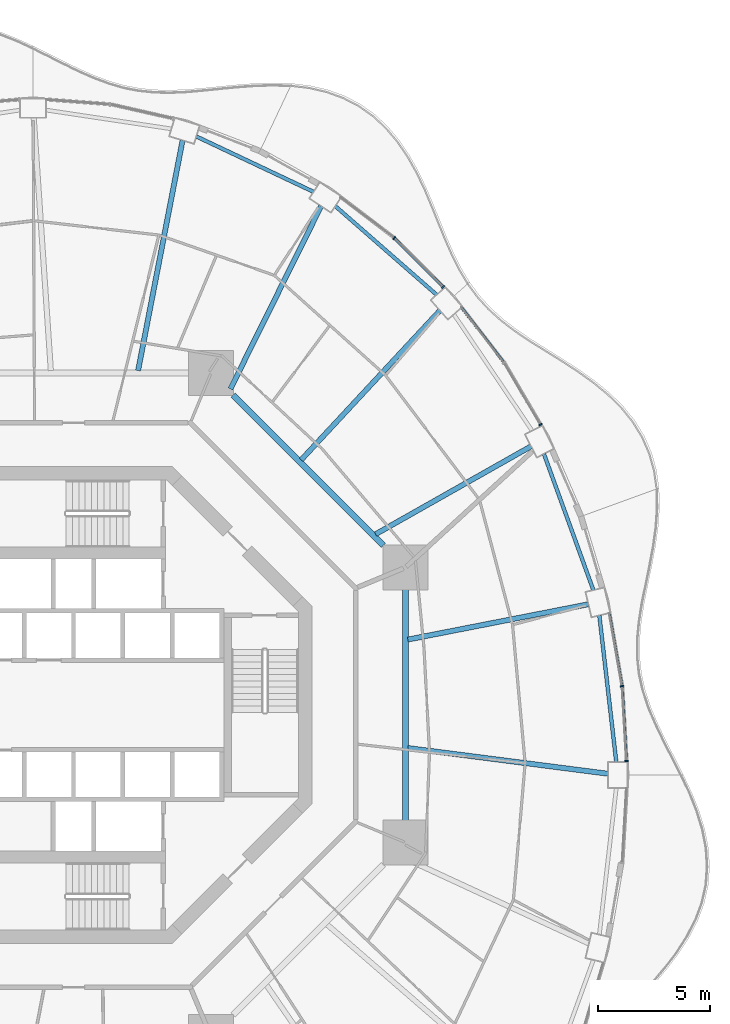
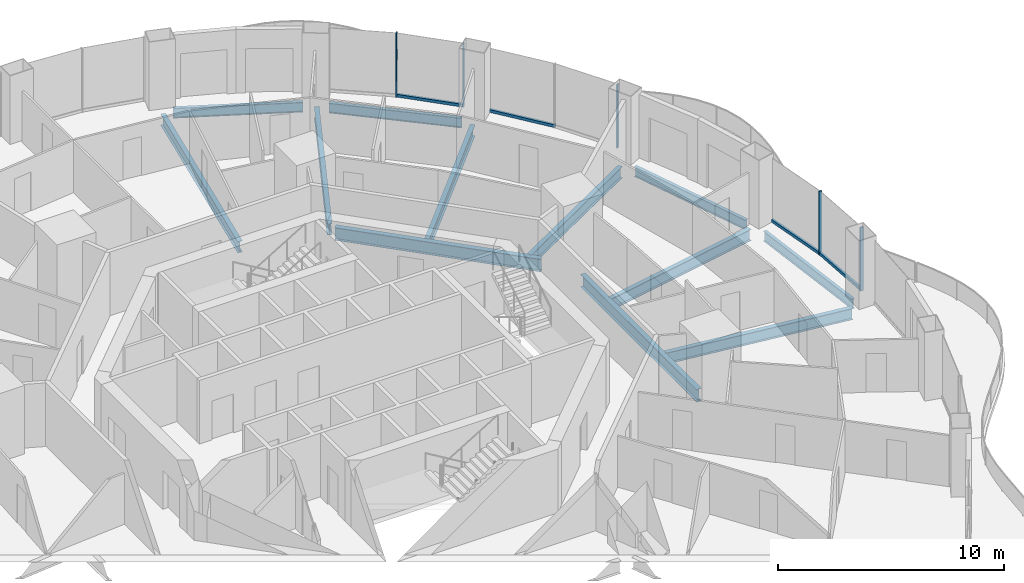
# One storey, part 8 of 20: 12 beams, 9 members, 6 elements without a shape of their own.
"""IFC4 building model written with IfcOpenShell, lengths in metres."""

import ifcopenshell
import ifcopenshell.guid

model = None  # the IFC model being written
_history = None  # IfcOwnerHistory: only IFC2X3 demands one
_inside = {}  # id of a spatial element -> (the spatial element, [elements in it])
_under = {}  # id of a project, library or spatial element -> (it, [spatial elements below it])
_declared = {}  # id of a project -> (the project, [libraries it declares])
_typed = {}  # id of a type object -> (the type object, [elements of that type])
_made_of = {}  # id of a material, layer set ... -> (it, [elements and type objects made of it])


def new_model(schema):
    """Start an empty IFC model of exactly this schema.

    Asked for "IFC4X3", IfcOpenShell would pick the latest addendum, in which some entities
    have other attributes; the version numbers below select the first issue.
    IFC2X3 requires an IfcOwnerHistory on every rooted entity: one is made here for all.
    """
    global model, _history
    if schema == "IFC4X3":
        model = ifcopenshell.file(schema_version=(4, 3, 0, 0))
    else:
        model = ifcopenshell.file(schema=schema)
    _inside.clear()
    _under.clear()
    _declared.clear()
    _typed.clear()
    _made_of.clear()
    _history = None
    if model.schema == "IFC2X3":
        org = make("IfcOrganization", Name="unknown")
        user = make(
            "IfcPersonAndOrganization",
            ThePerson=make("IfcPerson", FamilyName="unknown"),
            TheOrganization=org,
        )
        app = make(
            "IfcApplication",
            ApplicationDeveloper=org,
            Version="unknown",
            ApplicationFullName="unknown",
            ApplicationIdentifier="unknown",
        )
        _history = make(
            "IfcOwnerHistory",
            OwningUser=user,
            OwningApplication=app,
            ChangeAction="ADDED",
            CreationDate=0,
        )
    return model


def make(cls, **values):
    """One entity of the class cls with the attributes given. An attribute that is None is left unset."""
    return model.create_entity(
        cls, **{name: value for name, value in values.items() if value is not None}
    )


def rooted(cls, **values):
    """An entity with a GlobalId (a new one), such as an element, a storey or a relation."""
    return make(cls, GlobalId=ifcopenshell.guid.new(), OwnerHistory=_history, **values)


def si_unit(unit_type, name, prefix=None):
    """IfcSIUnit, for example si_unit("LENGTHUNIT", "METRE", prefix="MILLI")."""
    return make("IfcSIUnit", UnitType=unit_type, Prefix=prefix, Name=name)


def assignment(units):
    """IfcUnitAssignment: the units of a project."""
    return None if units is None else make("IfcUnitAssignment", Units=units)


def point(xyz):
    """IfcCartesianPoint."""
    return None if xyz is None else make("IfcCartesianPoint", Coordinates=xyz)


def direction(xyz):
    """IfcDirection."""
    return None if xyz is None else make("IfcDirection", DirectionRatios=xyz)


def frame(location, z_axis=None, x_axis=None):
    """IfcAxis2Placement3D, a coordinate frame: its origin and axes. An axis left out is left unset."""
    return make(
        "IfcAxis2Placement3D",
        Location=point(location),
        Axis=direction(z_axis),
        RefDirection=direction(x_axis),
    )


def frame_2d(location, x_axis=None):
    """IfcAxis2Placement2D, a coordinate frame in the plane: its origin and x axis."""
    return make(
        "IfcAxis2Placement2D", Location=point(location), RefDirection=direction(x_axis)
    )


def origin():
    """The frame at (0, 0, 0) with its axes left unset."""
    return frame((0.0, 0.0, 0.0))


def origin_2d():
    """The frame at (0, 0) in the plane with its x axis left unset."""
    return frame_2d((0.0, 0.0))


def place(relative_to, where):
    """IfcLocalPlacement: puts the frame where relative to a parent placement (None: the world)."""
    return make(
        "IfcLocalPlacement", PlacementRelTo=relative_to, RelativePlacement=where
    )


def context(
    kind, dimensions, precision=None, world=None, true_north=None, identifier=None
):
    """IfcGeometricRepresentationContext, for example the 3D "Model" context."""
    return make(
        "IfcGeometricRepresentationContext",
        ContextIdentifier=identifier,
        ContextType=kind,
        CoordinateSpaceDimension=dimensions,
        Precision=precision,
        WorldCoordinateSystem=world,
        TrueNorth=true_north,
    )


def subcontext(parent, identifier, kind, view, scale=None):
    """IfcGeometricRepresentationSubContext, for example "Body" below "Model"."""
    return make(
        "IfcGeometricRepresentationSubContext",
        ContextIdentifier=identifier,
        ContextType=kind,
        ParentContext=parent,
        TargetScale=scale,
        TargetView=view,
    )


def project(units=None, contexts=None):
    """IfcProject with its units and contexts."""
    return rooted(
        "IfcProject",
        Name="project",
        RepresentationContexts=contexts,
        UnitsInContext=assignment(units),
    )


def spatial(cls, under=None, at=None, **own):
    """A site, building, storey or space (cls), placed at a placement, below another one or the project."""
    s = rooted(cls, ObjectPlacement=at, **own)
    if under is not None:
        _under.setdefault(under.id(), (under, []))[1].append(s)
    return s


def profile(cls, at=None, kind="AREA", **sizes):
    """A parametric profile (cls). Its sizes go by their IFC names, for example OverallWidth=200.0."""
    return make(cls, ProfileType=kind, Position=at, **sizes)


def rectangle(**sizes):
    """IfcRectangleProfileDef."""
    return profile("IfcRectangleProfileDef", **sizes)


def i_section(**sizes):
    """IfcIShapeProfileDef."""
    return profile("IfcIShapeProfileDef", **sizes)


def extrude(swept, where, along, depth):
    """IfcExtrudedAreaSolid: the profile swept, set in the frame where, extruded along a direction by depth."""
    return make(
        "IfcExtrudedAreaSolid",
        SweptArea=swept,
        Position=where,
        ExtrudedDirection=direction(along),
        Depth=depth,
    )


def shape(context_of_items, identifier, shape_type, items):
    """IfcShapeRepresentation: the items that make up one representation, for example the "Body"."""
    return make(
        "IfcShapeRepresentation",
        ContextOfItems=context_of_items,
        RepresentationIdentifier=identifier,
        RepresentationType=shape_type,
        Items=items,
    )


def material(Name=None, Category=None):
    """IfcMaterial."""
    return make("IfcMaterial", Name=Name, Category=Category)


def layer(
    of_material, thickness, ventilated=None, Name=None, Category=None, Priority=None
):
    """IfcMaterialLayer: one layer of a wall or slab, of a material (None: an air gap)."""
    return make(
        "IfcMaterialLayer",
        Material=of_material,
        LayerThickness=thickness,
        IsVentilated=ventilated,
        Name=Name,
        Category=Category,
        Priority=Priority,
    )


def layer_set(layers, Name=None):
    """IfcMaterialLayerSet."""
    return make("IfcMaterialLayerSet", MaterialLayers=layers, LayerSetName=Name)


def material_profile(
    of_material, cross_section, Name=None, Category=None, Priority=None
):
    """IfcMaterialProfile: a cross section and its material."""
    return make(
        "IfcMaterialProfile",
        Name=Name,
        Material=of_material,
        Profile=cross_section,
        Priority=Priority,
        Category=Category,
    )


def profile_set(profiles, Name=None, composite=None):
    """IfcMaterialProfileSet."""
    return make(
        "IfcMaterialProfileSet",
        Name=Name,
        MaterialProfiles=profiles,
        CompositeProfile=composite,
    )


def made_of(thing, what):
    """Note that an element or type object is made of a material, layer set ...; save() writes the relation."""
    if what is not None:
        _made_of.setdefault(what.id(), (what, []))[1].append(thing)
    return thing


def type_object(cls, material=None, **own):
    """A type object (cls), such as IfcWallType, which elements share."""
    return made_of(rooted(cls, **own), material)


def element(
    cls,
    number,
    at=None,
    inside=None,
    cuts=None,
    type_object=None,
    material=None,
    context=None,
    identifier="Body",
    shape_type=None,
    held_by="IfcProductDefinitionShape",
    body=None,
    shapes=None,
    **own,
):
    """One element of the class cls, such as IfcWall. Its Tag is "e" and its number.

    at: its placement. inside: the storey or other place that contains it. cuts: it is an
    opening in that element (IfcRelVoidsElement). A single representation is given by context,
    identifier, shape_type and body (its items); several are given by shapes. held_by: the class
    of the entity that holds the representations. save() writes the other relations.
    """
    e = rooted(cls, Tag="e%d" % number, ObjectPlacement=at, **own)
    if body is not None:
        shapes = [shape(context, identifier, shape_type, body)]
    if shapes is not None:
        e.Representation = make(held_by, Representations=shapes)
    if inside is not None:
        _inside.setdefault(inside.id(), (inside, []))[1].append(e)
    if cuts is not None:
        rooted(
            "IfcRelVoidsElement", RelatingBuildingElement=cuts, RelatedOpeningElement=e
        )
    if type_object is not None:
        _typed.setdefault(type_object.id(), (type_object, []))[1].append(e)
    return made_of(e, material)


def aggregate(whole, parts):
    """IfcRelAggregates: a whole, such as a stair, and the parts it consists of."""
    return rooted("IfcRelAggregates", RelatingObject=whole, RelatedObjects=parts)


def save(model, path):
    """Write the relations noted so far, then the file.

    IfcRelAggregates (storeys below a building ...), IfcRelContainedInSpatialStructure (elements
    in a storey), IfcRelDefinesByType, IfcRelAssociatesMaterial and IfcRelDeclares: one each for
    every whole, place, type object, material and project.
    """
    for whole, parts in _under.values():
        aggregate(whole, parts)
    for where, things in _inside.values():
        rooted(
            "IfcRelContainedInSpatialStructure",
            RelatedElements=things,
            RelatingStructure=where,
        )
    for kind, things in _typed.values():
        rooted("IfcRelDefinesByType", RelatedObjects=things, RelatingType=kind)
    for what, things in _made_of.values():
        rooted("IfcRelAssociatesMaterial", RelatedObjects=things, RelatingMaterial=what)
    for by, libraries in _declared.values():
        rooted("IfcRelDeclares", RelatingContext=by, RelatedDefinitions=libraries)
    model.write(path)


model = new_model("IFC4")

# Units and contexts
model_context = context("Model", 3, precision=1e-05, world=origin(), true_north=direction((0.0, 1.0)))
body_context = subcontext(model_context, "Body", "Model", "MODEL_VIEW")
ifc_project = project(units=[si_unit("LENGTHUNIT", "METRE"), si_unit("AREAUNIT", "SQUARE_METRE"), si_unit("VOLUMEUNIT", "CUBIC_METRE"), si_unit("PLANEANGLEUNIT", "RADIAN"), si_unit("MASSUNIT", "GRAM", prefix="KILO")], contexts=[model_context])

# Site, building, storey
site_placement = place(None, origin())
site = spatial("IfcSite", under=ifc_project, at=site_placement, CompositionType="ELEMENT")
building_placement = place(site_placement, origin())
building = spatial("IfcBuilding", under=site, at=building_placement, Name="Nagisa Residences", CompositionType="ELEMENT")
storey_placement = place(building_placement, frame((0.0, 0.0, 130.699951171875)))
storey = spatial("IfcBuildingStorey", under=building, at=storey_placement, Name="L32", CompositionType="ELEMENT", Elevation=130.699951171875)

# Curtain wall, member
ifc_material_1 = material(Name="Concrete-coloured aluminium curtain wall system", Category="concrete")
ifc_layer = layer(ifc_material_1, 0.159912109375)
ifc_layer_set = layer_set([ifc_layer], Name="CW1 CURTAIN WALL")
curtain_wall_type = type_object("IfcCurtainWallType", Name="CW1 CURTAIN WALL", PredefinedType="NOTDEFINED", material=ifc_layer_set)
curtain_wall_1_placement = place(storey_placement, origin())
curtain_wall_1 = element("IfcCurtainWall", 1, at=curtain_wall_1_placement, inside=storey, type_object=curtain_wall_type, Name="cw:CW1:L32:00", PredefinedType="NOTDEFINED")
ifc_material_2 = material(Name="Concrete-coloured aluminium", Category="concrete")
ifc_material_profile_1 = material_profile(ifc_material_2, rectangle(XDim=0.159912109375, YDim=0.06005859375, at=origin_2d()), Name="CW1 MULLION 160x60")
ifc_profile_set_1 = profile_set([ifc_material_profile_1], Name="Concrete-coloured aluminium")
member_type_1 = type_object("IfcMemberType", Name="CW1 MULLION 160x60", PredefinedType="MULLION", material=ifc_profile_set_1)
member_1_placement = place(storey_placement, frame((24.618896484375, -2.493408203125, 0.0), z_axis=(0.0, 0.0, 1.0), x_axis=(-0.998345305184, -0.057503492216, 0.0)))
member_1 = element("IfcMember", 2, at=member_1_placement, type_object=member_type_1, Name="CW1 mullion", PredefinedType="MULLION", context=body_context, shape_type="SweptSolid", body=[
    extrude(rectangle(XDim=0.159912109375, YDim=0.06005859375, at=origin_2d()), origin(), (0.0, 0.0, 1.0), 3.43994140625),
])

curtain_wall_2_placement = place(storey_placement, origin())
curtain_wall_2 = element("IfcCurtainWall", 3, at=curtain_wall_2_placement, inside=storey, type_object=curtain_wall_type, Name="cw:CW1:L32:01", PredefinedType="NOTDEFINED")
member_2_placement = place(storey_placement, frame((24.424072265625, 0.83935546875, 0.0), z_axis=(0.0, 0.0, 1.0), x_axis=(-0.985063604377, -0.172190868898, 0.0)))
member_2 = element("IfcMember", 4, at=member_2_placement, type_object=member_type_1, Name="CW1 mullion", PredefinedType="MULLION", context=body_context, shape_type="SweptSolid", body=[
    extrude(rectangle(XDim=0.159912109375, YDim=0.06005859375, at=origin_2d()), origin(), (0.0, 0.0, 1.0), 3.43994140625),
])

curtain_wall_3_placement = place(storey_placement, origin())
curtain_wall_3 = element("IfcCurtainWall", 5, at=curtain_wall_3_placement, inside=storey, type_object=curtain_wall_type, Name="cw:CW1:L32:04", PredefinedType="NOTDEFINED")
member_3_placement = place(storey_placement, frame((20.7919921875, 12.482666015625, 0.0), z_axis=(0.0, 0.0, 1.0), x_axis=(-0.862328898214, -0.506348567002, 0.0)))
member_3 = element("IfcMember", 6, at=member_3_placement, type_object=member_type_1, Name="CW1 mullion", PredefinedType="MULLION", context=body_context, shape_type="SweptSolid", body=[
    extrude(rectangle(XDim=0.159912109375, YDim=0.06005859375, at=origin_2d()), origin(), (0.0, 0.0, 1.0), 3.43994140625),
])
aggregate(curtain_wall_3, [member_3])

curtain_wall_4_placement = place(storey_placement, origin())
curtain_wall_4 = element("IfcCurtainWall", 7, at=curtain_wall_4_placement, inside=storey, type_object=curtain_wall_type, Name="cw:CW1:L32:06", PredefinedType="NOTDEFINED")
member_4_placement = place(storey_placement, frame((16.460693359375, 18.621826171875, 0.0), z_axis=(0.0, 0.0, 1.0), x_axis=(-0.706376885714, -0.707835924016, 0.0)))
member_4 = element("IfcMember", 8, at=member_4_placement, type_object=member_type_1, Name="CW1 mullion", PredefinedType="MULLION", context=body_context, shape_type="SweptSolid", body=[
    extrude(rectangle(XDim=0.159912109375, YDim=0.06005859375, at=origin_2d()), origin(), (0.0, 0.0, 1.0), 3.43994140625),
])

curtain_wall_5_placement = place(storey_placement, origin())
curtain_wall_5 = element("IfcCurtainWall", 9, at=curtain_wall_5_placement, inside=storey, type_object=curtain_wall_type, Name="cw:CW1:L32:07", PredefinedType="NOTDEFINED")
member_5_placement = place(storey_placement, frame((14.28125, 20.7919921875, 0.0), z_axis=(0.0, 0.0, 1.0), x_axis=(-0.605255421737, -0.79603132756, 0.0)))
member_5 = element("IfcMember", 10, at=member_5_placement, type_object=member_type_1, Name="CW1 mullion", PredefinedType="MULLION", context=body_context, shape_type="SweptSolid", body=[
    extrude(rectangle(XDim=0.159912109375, YDim=0.06005859375, at=origin_2d()), origin(), (0.0, 0.0, 1.0), 3.43994140625),
])
aggregate(curtain_wall_5, [member_5])

# Member
ifc_material_3 = material(Name="Concrete-coloured aluminium", Category="concrete")
ifc_material_profile_2 = material_profile(ifc_material_3, rectangle(XDim=0.1201171875, YDim=0.14990234375, at=origin_2d()), Name="CW1 TRANSOM 120x150")
ifc_profile_set_2 = profile_set([ifc_material_profile_2], Name="Concrete-coloured aluminium")
member_type_2 = type_object("IfcMemberType", Name="CW1 TRANSOM 120x150", PredefinedType="USERDEFINED", material=ifc_profile_set_2)
member_6_placement = place(storey_placement, frame((24.62060546875, -2.523193359375, 0.074951171875), z_axis=(-0.057469329432, 0.998347272333, 0.0), x_axis=(-0.998347272333, -0.057469329432, 0.0)))
member_6 = element("IfcMember", 11, at=member_6_placement, type_object=member_type_2, Name="CW1 transom", ObjectType="TRANSOM", PredefinedType="USERDEFINED", context=body_context, shape_type="SweptSolid", body=[
    extrude(rectangle(XDim=0.1201171875, YDim=0.14990234375, at=origin_2d()), origin(), (0.0, 0.0, 1.0), 3.34765625),
])

aggregate(curtain_wall_1, [member_1, member_6])

member_7_placement = place(storey_placement, frame((24.42919921875, 0.809814453125, 0.074951171875), z_axis=(-0.172163521006, 0.985068384446, 0.0), x_axis=(-0.985068384446, -0.172163521006, 0.0)))
member_7 = element("IfcMember", 12, at=member_7_placement, type_object=member_type_2, Name="CW1 transom", ObjectType="TRANSOM", PredefinedType="USERDEFINED", context=body_context, shape_type="SweptSolid", body=[
    extrude(rectangle(XDim=0.1201171875, YDim=0.14990234375, at=origin_2d()), origin(), (0.0, 0.0, 1.0), 3.33251953125),
])

aggregate(curtain_wall_2, [member_2, member_7])

# Curtain wall, member
curtain_wall_6_placement = place(storey_placement, origin())
curtain_wall_6 = element("IfcCurtainWall", 13, at=curtain_wall_6_placement, inside=storey, type_object=curtain_wall_type, Name="cw:CW1:L32:05", PredefinedType="NOTDEFINED")
member_8_placement = place(storey_placement, frame((19.188232421875, 15.215087890625, 0.074951171875), z_axis=(-0.610467332273, 0.792041435928, 0.0), x_axis=(-0.792041435928, -0.610467332273, 0.0)))
member_8 = element("IfcMember", 14, at=member_8_placement, type_object=member_type_2, Name="CW1 transom", ObjectType="TRANSOM", PredefinedType="USERDEFINED", context=body_context, shape_type="SweptSolid", body=[
    extrude(rectangle(XDim=0.1201171875, YDim=0.14990234375, at=origin_2d()), origin(), (0.0, 0.0, 1.0), 3.14892578125),
])
aggregate(curtain_wall_6, [member_8])

# Member
member_9_placement = place(storey_placement, frame((16.48193359375, 18.6005859375, 0.074951171875), z_axis=(-0.707857739375, 0.706355024621, 0.0), x_axis=(-0.706355024621, -0.707857739375, 0.0)))
member_9 = element("IfcMember", 15, at=member_9_placement, type_object=member_type_2, Name="CW1 transom", ObjectType="TRANSOM", PredefinedType="USERDEFINED", context=body_context, shape_type="SweptSolid", body=[
    extrude(rectangle(XDim=0.1201171875, YDim=0.14990234375, at=origin_2d()), origin(), (0.0, 0.0, 1.0), 3.0869140625),
])

aggregate(curtain_wall_4, [member_4, member_9])

# Beams
ifc_material_4 = material(Name="Steel ASTM A572 Gr 50", Category="steel")
ifc_material_profile_3 = material_profile(ifc_material_4, i_section(OverallWidth=0.25390625, OverallDepth=0.68408203125, WebThickness=0.012451171875, FlangeThickness=0.018798828125, at=origin_2d()), Name="W690x140")
ifc_profile_set_3 = profile_set([ifc_material_profile_3], Name="Steel ASTM A572 Gr 50")
beam_type_1 = type_object("IfcBeamType", Name="Inner ring beam W690x140", PredefinedType="BEAM", material=ifc_profile_set_3)
beam_1_placement = place(storey_placement, frame((13.796142578125, 7.10888671875, -0.60205078125), z_axis=(-0.707106781187, 0.707106781187, 0.0), x_axis=(-0.707106781187, -0.707106781187, 0.0)))
element("IfcBeam", 16, at=beam_1_placement, inside=storey, type_object=beam_type_1, Name="beam:L32:ib1", PredefinedType="BEAM", context=body_context, shape_type="SweptSolid", body=[
    extrude(i_section(OverallWidth=0.25390625, OverallDepth=0.68408203125, WebThickness=0.012451171875, FlangeThickness=0.018798828125, at=origin_2d()), origin(), (0.0, 0.0, 1.0), 9.457275390625),
])
beam_2_placement = place(storey_placement, frame((14.781982421875, -5.142822265625, -0.60205078125), z_axis=(0.0, 1.0, 0.0), x_axis=(-1.0, 0.0, 0.0)))
element("IfcBeam", 17, at=beam_2_placement, inside=storey, type_object=beam_type_1, Name="beam:L32:ib8", PredefinedType="BEAM", context=body_context, shape_type="SweptSolid", body=[
    extrude(i_section(OverallWidth=0.25390625, OverallDepth=0.68408203125, WebThickness=0.012451171875, FlangeThickness=0.018798828125, at=origin_2d()), origin(), (0.0, 0.0, 1.0), 10.28564453125),
])
ifc_material_5 = material(Name="Steel ASTM A572 Gr 50", Category="steel")
ifc_material_profile_4 = material_profile(ifc_material_5, i_section(OverallWidth=0.166015625, OverallDepth=0.534912109375, WebThickness=0.01025390625, FlangeThickness=0.0166015625, at=origin_2d()), Name="W530x85")
ifc_profile_set_4 = profile_set([ifc_material_profile_4], Name="Steel ASTM A572 Gr 50")
beam_type_2 = type_object("IfcBeamType", Name="Perimeter ring beam W530x85", PredefinedType="BEAM", material=ifc_profile_set_4)
beam_3_placement = place(storey_placement, frame((24.16796875, -2.53759765625, -0.52734375), z_axis=(-0.114660786771, 0.993404703017, 0.0), x_axis=(-0.993404703017, -0.114660786771, 0.0)))
element("IfcBeam", 18, at=beam_3_placement, inside=storey, type_object=beam_type_2, Name="beam:L32:pb01", PredefinedType="BEAM", context=body_context, shape_type="SweptSolid", body=[
    extrude(i_section(OverallWidth=0.166015625, OverallDepth=0.534912109375, WebThickness=0.01025390625, FlangeThickness=0.0166015625, at=origin_2d()), origin(), (0.0, 0.0, 1.0), 6.568603515625),
])
beam_4_placement = place(storey_placement, frame((23.1484375, 5.116943359375, -0.52734375), z_axis=(-0.341332802315, 0.93994250785, 0.0), x_axis=(-0.93994250785, -0.341332802315, 0.0)))
element("IfcBeam", 19, at=beam_4_placement, inside=storey, type_object=beam_type_2, Name="beam:L32:pb02", PredefinedType="BEAM", context=body_context, shape_type="SweptSolid", body=[
    extrude(i_section(OverallWidth=0.166015625, OverallDepth=0.534912109375, WebThickness=0.01025390625, FlangeThickness=0.0166015625, at=origin_2d()), origin(), (0.0, 0.0, 1.0), 6.450927734375),
])
beam_5_placement = place(storey_placement, frame((16.169189453125, 18.26513671875, -0.52734375), z_axis=(-0.752503526528, 0.658588219272, 0.0), x_axis=(-0.658588219272, -0.752503526528, 0.0)))
element("IfcBeam", 20, at=beam_5_placement, inside=storey, type_object=beam_type_2, Name="beam:L32:pb04", PredefinedType="BEAM", context=body_context, shape_type="SweptSolid", body=[
    extrude(i_section(OverallWidth=0.166015625, OverallDepth=0.534912109375, WebThickness=0.01025390625, FlangeThickness=0.0166015625, at=origin_2d()), origin(), (0.0, 0.0, 1.0), 5.99462890625),
])
beam_6_placement = place(storey_placement, frame((10.687744140625, 22.84912109375, -0.52734375), z_axis=(-0.904169699539, 0.427173447719, 0.0), x_axis=(-0.427173447719, -0.904169699539, 0.0)))
element("IfcBeam", 21, at=beam_6_placement, inside=storey, type_object=beam_type_2, Name="beam:L32:pb05", PredefinedType="BEAM", context=body_context, shape_type="SweptSolid", body=[
    extrude(i_section(OverallWidth=0.166015625, OverallDepth=0.534912109375, WebThickness=0.01025390625, FlangeThickness=0.0166015625, at=origin_2d()), origin(), (0.0, 0.0, 1.0), 5.7724609375),
])
ifc_material_6 = material(Name="Steel ASTM A572 Gr 50", Category="steel")
ifc_material_profile_5 = material_profile(ifc_material_6, i_section(OverallWidth=0.22900390625, OverallDepth=0.612060546875, WebThickness=0.011962890625, FlangeThickness=0.01953125, at=origin_2d()), Name="W610x125")
ifc_profile_set_5 = profile_set([ifc_material_profile_5], Name="Steel ASTM A572 Gr 50")
beam_type_3 = type_object("IfcBeamType", Name="Radial beam W610x125", PredefinedType="BEAM", material=ifc_profile_set_5)
beam_7_placement = place(storey_placement, frame((23.804931640625, -3.062255859375, -0.56591796875), z_axis=(-0.991829934558, 0.127567162371, 0.0), x_axis=(-0.127567162371, -0.991829934558, 0.0)))
element("IfcBeam", 22, at=beam_7_placement, inside=storey, type_object=beam_type_3, Name="beam:L32:rb01", PredefinedType="BEAM", context=body_context, shape_type="SweptSolid", body=[
    extrude(i_section(OverallWidth=0.22900390625, OverallDepth=0.612060546875, WebThickness=0.011962890625, FlangeThickness=0.01953125, at=origin_2d()), origin(), (0.0, 0.0, 1.0), 8.9892578125),
])
beam_8_placement = place(storey_placement, frame((22.925537109375, 4.4853515625, -0.56591796875), z_axis=(-0.981393143406, -0.192009109355, 0.0), x_axis=(0.192009109355, -0.981393143406, 0.0)))
element("IfcBeam", 23, at=beam_8_placement, inside=storey, type_object=beam_type_3, Name="beam:L32:rb02", PredefinedType="BEAM", context=body_context, shape_type="SweptSolid", body=[
    extrude(i_section(OverallWidth=0.22900390625, OverallDepth=0.612060546875, WebThickness=0.011962890625, FlangeThickness=0.01953125, at=origin_2d()), origin(), (0.0, 0.0, 1.0), 8.1884765625),
])
beam_9_placement = place(storey_placement, frame((20.372314453125, 11.51806640625, -0.56591796875), z_axis=(-0.870505636565, -0.492158446751, 0.0), x_axis=(0.492158446751, -0.870505636565, 0.0)))
element("IfcBeam", 24, at=beam_9_placement, inside=storey, type_object=beam_type_3, Name="beam:L32:rb03", PredefinedType="BEAM", context=body_context, shape_type="SweptSolid", body=[
    extrude(i_section(OverallWidth=0.22900390625, OverallDepth=0.612060546875, WebThickness=0.011962890625, FlangeThickness=0.01953125, at=origin_2d()), origin(), (0.0, 0.0, 1.0), 7.949951171875),
])
beam_10_placement = place(storey_placement, frame((16.315185546875, 17.56298828125, -0.56591796875), z_axis=(-0.680605908425, -0.7326497099, 0.0), x_axis=(0.7326497099, -0.680605908425, 0.0)))
element("IfcBeam", 25, at=beam_10_placement, inside=storey, type_object=beam_type_3, Name="beam:L32:rb04", PredefinedType="BEAM", context=body_context, shape_type="SweptSolid", body=[
    extrude(i_section(OverallWidth=0.22900390625, OverallDepth=0.612060546875, WebThickness=0.011962890625, FlangeThickness=0.01953125, at=origin_2d()), origin(), (0.0, 0.0, 1.0), 9.072509765625),
])
beam_11_placement = place(storey_placement, frame((11.02490234375, 22.2109375, -0.56591796875), z_axis=(-0.444599872799, -0.895729285614, 0.0), x_axis=(0.895729285614, -0.444599872799, 0.0)))
element("IfcBeam", 26, at=beam_11_placement, inside=storey, type_object=beam_type_3, Name="beam:L32:rb05", PredefinedType="BEAM", context=body_context, shape_type="SweptSolid", body=[
    extrude(i_section(OverallWidth=0.22900390625, OverallDepth=0.612060546875, WebThickness=0.011962890625, FlangeThickness=0.01953125, at=origin_2d()), origin(), (0.0, 0.0, 1.0), 9.085693359375),
])
beam_12_placement = place(storey_placement, frame((4.8564453125, 25.140869140625, -0.56591796875), z_axis=(-0.189659094365, -0.981850002762, 0.0), x_axis=(0.981850002762, -0.189659094365, 0.0)))
element("IfcBeam", 27, at=beam_12_placement, inside=storey, type_object=beam_type_3, Name="beam:L32:rb06", PredefinedType="BEAM", context=body_context, shape_type="SweptSolid", body=[
    extrude(i_section(OverallWidth=0.22900390625, OverallDepth=0.612060546875, WebThickness=0.011962890625, FlangeThickness=0.01953125, at=origin_2d()), origin(), (0.0, 0.0, 1.0), 10.44091796875),
])

save(model, "model.ifc")
